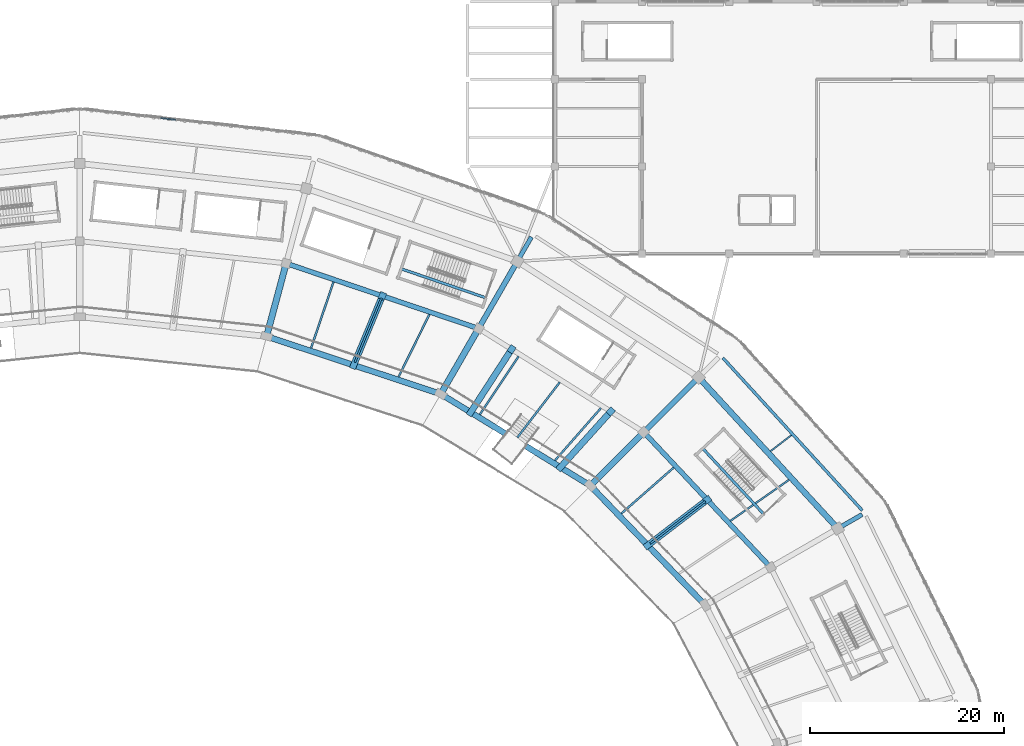
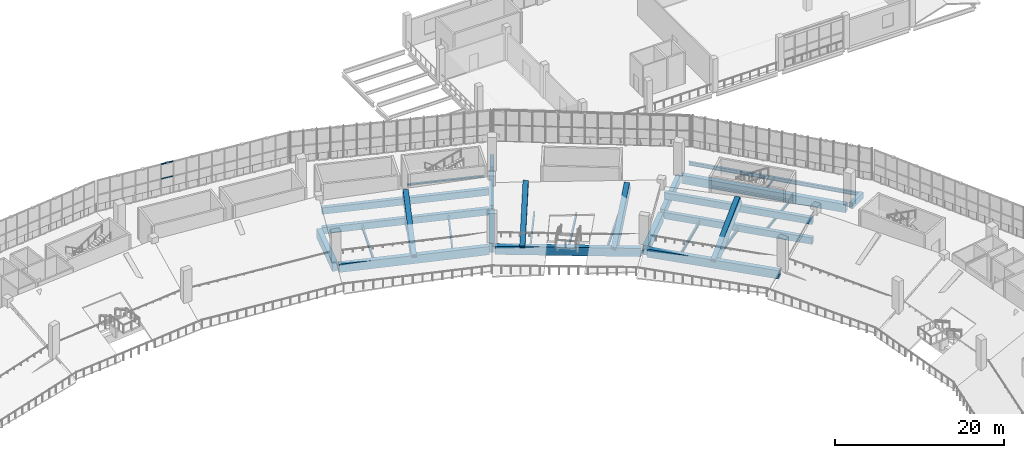
# One storey, part 59 of 152: 32 beams, 2 members, 1 element without a shape of its own.
"""IFC4 building model written with IfcOpenShell, lengths in metres."""

from ifc_helpers import new_model, si_unit, direction, frame, origin, origin_2d, place, context, subcontext, project, spatial, rectangle, i_section, extrude, material, material_profile, profile_set, type_object, element, aggregate, save


model = new_model("IFC4")

# Units and contexts
model_context = context("Model", 3, precision=1e-05, world=origin(), true_north=direction((0.0, 1.0)))
body_context = subcontext(model_context, "Body", "Model", "MODEL_VIEW")
ifc_project = project(units=[si_unit("LENGTHUNIT", "METRE"), si_unit("AREAUNIT", "SQUARE_METRE"), si_unit("VOLUMEUNIT", "CUBIC_METRE"), si_unit("PLANEANGLEUNIT", "RADIAN"), si_unit("MASSUNIT", "GRAM", prefix="KILO")], contexts=[model_context])

# Site, building, storey
site_placement = place(None, origin())
site = spatial("IfcSite", under=ifc_project, at=site_placement, CompositionType="ELEMENT")
building_placement = place(site_placement, origin())
building = spatial("IfcBuilding", under=site, at=building_placement, Name="Zevraka Park Crest Stadium", CompositionType="ELEMENT")
storey_placement = place(building_placement, frame((0.0, 0.0, 15.0)))
storey = spatial("IfcBuildingStorey", under=building, at=storey_placement, Name="L03", CompositionType="ELEMENT", Elevation=15.0)

# Beams
ifc_material_1 = material(Name="Concrete C40/50", Category="concrete")
ifc_material_profile_1 = material_profile(ifc_material_1, rectangle(XDim=0.64990234375, YDim=1.35009765625, at=origin_2d()), Name="RC 1350x650")
ifc_profile_set_1 = profile_set([ifc_material_profile_1], Name="Concrete C40/50")
beam_type_1 = type_object("IfcBeamType", Name="BG01", PredefinedType="BEAM", material=ifc_profile_set_1)
beam_1_placement = place(storey_placement, frame((164.89111328125, 134.284912109375, -0.68505859375), z_axis=(0.707157639372, 0.707055919343, 0.0), x_axis=(-0.707055919343, 0.707157639372, 0.0)))
element("IfcBeam", 1, at=beam_1_placement, inside=storey, type_object=beam_type_1, Name="Radial Girder BG01 L03-BC-03", PredefinedType="BEAM", context=body_context, shape_type="SweptSolid", body=[
    extrude(rectangle(XDim=0.64990234375, YDim=1.35009765625, at=origin_2d()), origin(), (0.0, 0.0, 1.0), 7.200439453125),
])
beam_2_placement = place(storey_placement, frame((149.39990234375, 143.7890625, -0.68505859375), z_axis=(0.500041424909, 0.866001485781, 0.0), x_axis=(-0.866001485781, 0.500041424909, 0.0)))
element("IfcBeam", 2, at=beam_2_placement, inside=storey, type_object=beam_type_1, Name="Radial Girder BG01 L03-BC-04", PredefinedType="BEAM", context=body_context, shape_type="SweptSolid", body=[
    extrude(rectangle(XDim=0.64990234375, YDim=1.35009765625, at=origin_2d()), origin(), (0.0, 0.0, 1.0), 7.19970703125),
])
beam_3_placement = place(storey_placement, frame((131.360107421875, 149.762939453125, -0.68505859375), z_axis=(0.258747385792, 0.965945024495, 0.0), x_axis=(-0.965945024495, 0.258747385792, 0.0)))
element("IfcBeam", 3, at=beam_3_placement, inside=storey, type_object=beam_type_1, Name="Radial Girder BG01 L03-BC-05", PredefinedType="BEAM", context=body_context, shape_type="SweptSolid", body=[
    extrude(rectangle(XDim=0.64990234375, YDim=1.35009765625, at=origin_2d()), origin(), (0.0, 0.0, 1.0), 7.19921875),
])
ifc_material_2 = material(Name="Concrete C40/50", Category="concrete")
ifc_material_profile_2 = material_profile(ifc_material_2, rectangle(XDim=0.550048828125, YDim=1.10009765625, at=origin_2d()), Name="RC 1100x550")
ifc_profile_set_2 = profile_set([ifc_material_profile_2], Name="Concrete C40/50")
beam_type_2 = type_object("IfcBeamType", Name="BG02", PredefinedType="BEAM", material=ifc_profile_set_2)
beam_4_placement = place(storey_placement, frame((170.406982421875, 139.800048828125, -0.56005859375), z_axis=(0.707106781187, 0.707106781187, 0.0), x_axis=(-0.707106781187, 0.707106781187, 0.0)))
element("IfcBeam", 4, at=beam_4_placement, inside=storey, type_object=beam_type_2, Name="Radial Girder BG02 L03-CD-03", PredefinedType="BEAM", context=body_context, shape_type="SweptSolid", body=[
    extrude(rectangle(XDim=0.550048828125, YDim=1.10009765625, at=origin_2d()), origin(), (0.0, 0.0, 1.0), 7.400390625),
])
beam_5_placement = place(storey_placement, frame((153.300048828125, 150.5439453125, -0.56005859375), z_axis=(0.500031859608, 0.86600700885, 0.0), x_axis=(-0.86600700885, 0.500031859608, 0.0)))
element("IfcBeam", 5, at=beam_5_placement, inside=storey, type_object=beam_type_2, Name="Radial Girder BG02 L03-CD-04", PredefinedType="BEAM", context=body_context, shape_type="SweptSolid", body=[
    extrude(rectangle(XDim=0.550048828125, YDim=1.10009765625, at=origin_2d()), origin(), (0.0, 0.0, 1.0), 7.3994140625),
])
ifc_material_3 = material(Name="Concrete C40/50", Category="concrete")
ifc_material_profile_3 = material_profile(ifc_material_3, rectangle(XDim=0.449951171875, YDim=0.85009765625, at=origin_2d()), Name="RC 850x450")
ifc_profile_set_3 = profile_set([ifc_material_profile_3], Name="Concrete C40/50")
beam_type_3 = type_object("IfcBeamType", Name="BG03", PredefinedType="BEAM", material=ifc_profile_set_3)
for number, where, z_axis, x_axis, name in (
    (6, (190.4619140625, 129.800048828125, -0.43505859375), (0.865950948929, 0.500128937424, 0.0), (-0.500128937424, 0.865950948929, 0.0), "Radial Girder BG03 L03-DE-02"),
    (7, (157.300048828125, 157.471923828125, -0.43505859375), (0.500128937424, 0.865950948929, 0.0), (-0.865950948929, 0.500128937424, 0.0), "Radial Girder BG03 L03-DE-04"),
):
    element("IfcBeam", number, at=place(storey_placement, frame(where, z_axis=z_axis, x_axis=x_axis)), inside=storey, type_object=beam_type_3, Name=name, PredefinedType="BEAM", context=body_context, shape_type="SweptSolid", body=[
        extrude(rectangle(XDim=0.449951171875, YDim=0.85009765625, at=origin_2d()), origin(), (0.0, 0.0, 1.0), 2.599365234375),
    ])

# Curtain wall, members
ifc_material_4 = material(Name="Anodised architectural aluminium and laminated safety glass", Category="aluminium")
curtain_wall_type = type_object("IfcCurtainWallType", Name="CW11", PredefinedType="NOTDEFINED", material=ifc_material_4)
curtain_wall_placement = place(storey_placement, origin())
curtain_wall = element("IfcCurtainWall", 8, at=curtain_wall_placement, inside=storey, type_object=curtain_wall_type, Name="Unitised Ring Curtain Wall CW11 L03-05", PredefinedType="NOTDEFINED")
ifc_material_5 = material(Name="Anodised architectural aluminium", Category="aluminium")
ifc_material_profile_4 = material_profile(ifc_material_5, rectangle(XDim=0.139892578125, YDim=0.06494140625, at=origin_2d()), Name="ALU TRANSOM 140x65")
ifc_profile_set_4 = profile_set([ifc_material_profile_4], Name="Anodised architectural aluminium")
member_type = type_object("IfcMemberType", Name="CT02", PredefinedType="USERDEFINED", material=ifc_profile_set_4)
member_1_placement = place(storey_placement, frame((121.92529296875, 171.81689453125, 2.39990234375), z_axis=(-0.993883734674, 0.110431526075, 0.0), x_axis=(-0.110431526075, -0.993883734674, 0.0)))
member_1 = element("IfcMember", 9, at=member_1_placement, type_object=member_type, Name="CW11 transom 10.2", ObjectType="TRANSOM", PredefinedType="USERDEFINED", context=body_context, shape_type="SweptSolid", body=[
    extrude(rectangle(XDim=0.139892578125, YDim=0.06494140625, at=origin_2d()), origin(), (0.0, 0.0, 1.0), 1.5830078125),
])
member_2_placement = place(storey_placement, frame((121.92529296875, 171.81689453125, 4.507568359375), z_axis=(-0.993883734674, 0.110431526075, 0.0), x_axis=(-0.110431526075, -0.993883734674, 0.0)))
member_2 = element("IfcMember", 10, at=member_2_placement, type_object=member_type, Name="CW11 transom 10.3", ObjectType="TRANSOM", PredefinedType="USERDEFINED", context=body_context, shape_type="SweptSolid", body=[
    extrude(rectangle(XDim=0.139892578125, YDim=0.06494140625, at=origin_2d()), origin(), (0.0, 0.0, 1.0), 1.5830078125),
])
aggregate(curtain_wall, [member_1, member_2])

# Beams
ifc_material_6 = material(Name="Concrete C40/50", Category="concrete")
ifc_material_profile_5 = material_profile(ifc_material_6, rectangle(XDim=0.60009765625, YDim=1.199951171875, at=origin_2d()), Name="RC 1200x600")
ifc_profile_set_5 = profile_set([ifc_material_profile_5], Name="Concrete C40/50")
beam_type_4 = type_object("IfcBeamType", Name="RB01", PredefinedType="BEAM", material=ifc_profile_set_5)
beam_6_placement = place(storey_placement, frame((176.256103515625, 122.02392578125, -0.610107421875), z_axis=(-0.692852617328, 0.721079226342, 0.0), x_axis=(-0.721079226342, -0.692852617328, 0.0)))
element("IfcBeam", 11, at=beam_6_placement, inside=storey, type_object=beam_type_4, Name="Ring Beam RB01 L03-B-02", PredefinedType="BEAM", context=body_context, shape_type="SweptSolid", body=[
    extrude(rectangle(XDim=0.60009765625, YDim=1.199951171875, at=origin_2d()), origin(), (0.0, 0.0, 1.0), 16.329833984375),
])
beam_7_placement = place(storey_placement, frame((189.945068359375, 129.929931640625, -0.610107421875), z_axis=(-0.677158252403, 0.735837414924, 0.0), x_axis=(-0.735837414924, -0.677158252403, 0.0)))
element("IfcBeam", 12, at=beam_7_placement, inside=storey, type_object=beam_type_4, Name="Ring Beam RB01 L03-D-02", PredefinedType="BEAM", context=body_context, shape_type="SweptSolid", body=[
    extrude(rectangle(XDim=0.60009765625, YDim=1.199951171875, at=origin_2d()), origin(), (0.0, 0.0, 1.0), 20.4326171875),
])
beam_8_placement = place(storey_placement, frame((164.35498046875, 134.27197265625, -0.610107421875), z_axis=(-0.852632623571, 0.522510869956, 0.0), x_axis=(-0.522510869956, -0.852632623571, 0.0)))
element("IfcBeam", 13, at=beam_8_placement, inside=storey, type_object=beam_type_4, Name="Ring Beam RB01 L03-B-03", PredefinedType="BEAM", context=body_context, shape_type="SweptSolid", body=[
    extrude(rectangle(XDim=0.60009765625, YDim=1.199951171875, at=origin_2d()), origin(), (0.0, 0.0, 1.0), 17.335693359375),
])
beam_9_placement = place(storey_placement, frame((148.888916015625, 143.64794921875, -0.610107421875), z_axis=(-0.949383863235, 0.314118258349, 0.0), x_axis=(-0.314118258349, -0.949383863235, 0.0)))
element("IfcBeam", 14, at=beam_9_placement, inside=storey, type_object=beam_type_4, Name="Ring Beam RB01 L03-B-04", PredefinedType="BEAM", context=body_context, shape_type="SweptSolid", body=[
    extrude(rectangle(XDim=0.60009765625, YDim=1.199951171875, at=origin_2d()), origin(), (0.0, 0.0, 1.0), 18.165283203125),
])
ifc_material_7 = material(Name="Concrete C40/50", Category="concrete")
ifc_material_profile_6 = material_profile(ifc_material_7, rectangle(XDim=0.5, YDim=0.949951171875, at=origin_2d()), Name="RC 950x500")
ifc_profile_set_6 = profile_set([ifc_material_profile_6], Name="Concrete C40/50")
beam_type_5 = type_object("IfcBeamType", Name="RB02", PredefinedType="BEAM", material=ifc_profile_set_6)
beam_10_placement = place(storey_placement, frame((183.013916015625, 125.927001953125, -0.485107421875), z_axis=(-0.684268936493, 0.729229746068, 0.0), x_axis=(-0.729229746068, -0.684268936493, 0.0)))
element("IfcBeam", 15, at=beam_10_placement, inside=storey, type_object=beam_type_5, Name="Ring Beam RB02 L03-C-02", PredefinedType="BEAM", context=body_context, shape_type="SweptSolid", body=[
    extrude(rectangle(XDim=0.5, YDim=0.949951171875, at=origin_2d()), origin(), (0.0, 0.0, 1.0), 18.353759765625),
])
beam_11_placement = place(storey_placement, frame((152.7900390625, 150.406005859375, -0.485107421875), z_axis=(-0.947147952377, 0.320797064058, 0.0), x_axis=(-0.320797064058, -0.947147952377, 0.0)))
element("IfcBeam", 16, at=beam_11_placement, inside=storey, type_object=beam_type_5, Name="Ring Beam RB02 L03-C-04", PredefinedType="BEAM", context=body_context, shape_type="SweptSolid", body=[
    extrude(rectangle(XDim=0.5, YDim=0.949951171875, at=origin_2d()), origin(), (0.0, 0.0, 1.0), 20.196533203125),
])
beam_12_placement = place(storey_placement, frame((183.013916015625, 125.927001953125, 2.375), z_axis=(-0.684268936493, 0.729229746068, 0.0), x_axis=(-0.729229746068, -0.684268936493, 0.0)))
element("IfcBeam", 17, at=beam_12_placement, inside=storey, type_object=beam_type_5, Name="Upper Tier Head Raker Ring Beam RB02 02", PredefinedType="BEAM", context=body_context, shape_type="SweptSolid", body=[
    extrude(rectangle(XDim=0.5, YDim=0.949951171875, at=origin_2d()), origin(), (0.0, 0.0, 1.0), 18.353759765625),
])
beam_13_placement = place(storey_placement, frame((152.7900390625, 150.406005859375, 2.375), z_axis=(-0.947147952377, 0.320797064058, 0.0), x_axis=(-0.320797064058, -0.947147952377, 0.0)))
element("IfcBeam", 18, at=beam_13_placement, inside=storey, type_object=beam_type_5, Name="Upper Tier Head Raker Ring Beam RB02 04", PredefinedType="BEAM", context=body_context, shape_type="SweptSolid", body=[
    extrude(rectangle(XDim=0.5, YDim=0.949951171875, at=origin_2d()), origin(), (0.0, 0.0, 1.0), 20.196533203125),
])
ifc_material_8 = material(Name="Steel S355", Category="steel")
ifc_material_profile_7 = material_profile(ifc_material_8, i_section(OverallWidth=0.300048828125, OverallDepth=0.5, WebThickness=0.014404296875, FlangeThickness=0.028076171875, at=origin_2d()), Name="HEB 500")
ifc_profile_set_7 = profile_set([ifc_material_profile_7], Name="Steel S355")
beam_type_6 = type_object("IfcBeamType", Name="RB05", PredefinedType="BEAM", material=ifc_profile_set_7)
beam_14_placement = place(storey_placement, frame((192.737060546875, 131.508056640625, -0.60498046875), z_axis=(-0.674624342029, 0.738161227065, 0.0), x_axis=(-0.738161227065, -0.674624342029, 0.0)))
element("IfcBeam", 19, at=beam_14_placement, inside=storey, type_object=beam_type_6, Name="Ring Beam RB05 L03-E-02", PredefinedType="BEAM", context=body_context, shape_type="SweptSolid", body=[
    extrude(i_section(OverallWidth=0.300048828125, OverallDepth=0.5, WebThickness=0.014404296875, FlangeThickness=0.028076171875, at=origin_2d()), origin(), (0.0, 0.0, 1.0), 21.325927734375),
])
ifc_material_9 = material(Name="Concrete C40/50", Category="concrete")
ifc_material_profile_8 = material_profile(ifc_material_9, rectangle(XDim=0.64990234375, YDim=1.5, at=origin_2d()), Name="RC 1500x650")
ifc_profile_set_8 = profile_set([ifc_material_profile_8], Name="Concrete C40/50")
beam_type_7 = type_object("IfcBeamType", Name="RK02", PredefinedType="BEAM", material=ifc_profile_set_8)
beam_15_placement = place(storey_placement, frame((170.59912109375, 127.912109375, -0.800048828125), z_axis=(0.690325578802, 0.529639717993, 0.492881694098), x_axis=(-0.608713880847, 0.793389823015, 0.0)))
element("IfcBeam", 20, at=beam_15_placement, inside=storey, type_object=beam_type_7, Name="Upper Bowl Main Raker Girder RK02 02", PredefinedType="BEAM", context=body_context, shape_type="SweptSolid", body=[
    extrude(rectangle(XDim=0.64990234375, YDim=1.5, at=origin_2d()), origin(), (0.0, 0.0, 1.0), 8.88671875),
])
beam_16_placement = place(storey_placement, frame((161.593017578125, 135.964111328125, -0.800048828125), z_axis=(0.582906361963, 0.646897257835, 0.491674802068), x_axis=(-0.74289496381, 0.669408001705, 0.0)))
element("IfcBeam", 21, at=beam_16_placement, inside=storey, type_object=beam_type_7, Name="Upper Bowl Main Raker Girder RK02 03-1", PredefinedType="BEAM", context=body_context, shape_type="SweptSolid", body=[
    extrude(rectangle(XDim=0.64990234375, YDim=1.5, at=origin_2d()), origin(), (0.0, 0.0, 1.0), 8.90869140625),
])
beam_17_placement = place(storey_placement, frame((152.3359375, 141.637939453125, -0.800048828125), z_axis=(0.474054343078, 0.7304295529, 0.491675856698), x_axis=(-0.838823786585, 0.544403026314, 0.0)))
element("IfcBeam", 22, at=beam_17_placement, inside=storey, type_object=beam_type_7, Name="Upper Bowl Main Raker Girder RK02 03-2", PredefinedType="BEAM", context=body_context, shape_type="SweptSolid", body=[
    extrude(rectangle(XDim=0.64990234375, YDim=1.5, at=origin_2d()), origin(), (0.0, 0.0, 1.0), 8.908447265625),
])
beam_18_placement = place(storey_placement, frame((140.26611328125, 146.5009765625, -0.800048828125), z_axis=(0.333025449443, 0.803886737331, 0.492808445105), x_axis=(-0.92386138518, 0.38272724096, 0.0)))
element("IfcBeam", 23, at=beam_18_placement, inside=storey, type_object=beam_type_7, Name="Upper Bowl Main Raker Girder RK02 04", PredefinedType="BEAM", context=body_context, shape_type="SweptSolid", body=[
    extrude(rectangle(XDim=0.64990234375, YDim=1.5, at=origin_2d()), origin(), (0.0, 0.0, 1.0), 8.88818359375),
])
ifc_material_10 = material(Name="Steel S355", Category="steel")
ifc_material_profile_9 = material_profile(ifc_material_10, i_section(OverallWidth=0.14990234375, OverallDepth=0.300048828125, WebThickness=0.007080078125, FlangeThickness=0.0107421875, at=origin_2d()), Name="IPE 300")
ifc_profile_set_9 = profile_set([ifc_material_profile_9], Name="Steel S355")
beam_type_8 = type_object("IfcBeamType", Name="SJ01", PredefinedType="JOIST", material=ifc_profile_set_9)
beam_19_placement = place(storey_placement, frame((183.260986328125, 137.626953125, -0.4580078125), z_axis=(0.793128631587, 0.609054163238, 0.0), x_axis=(-0.609054163238, 0.793128631587, 0.0)))
element("IfcBeam", 24, at=beam_19_placement, inside=storey, type_object=beam_type_8, Name="Floor Joist SJ01 L03-DE-02-1", PredefinedType="JOIST", context=body_context, shape_type="SweptSolid", body=[
    extrude(i_section(OverallWidth=0.14990234375, OverallDepth=0.300048828125, WebThickness=0.007080078125, FlangeThickness=0.0107421875, at=origin_2d()), origin(), (0.0, 0.0, 1.0), 2.732177734375),
])
ifc_material_11 = material(Name="Steel S355", Category="steel")
ifc_material_profile_10 = material_profile(ifc_material_11, i_section(OverallWidth=0.179931640625, OverallDepth=0.39990234375, WebThickness=0.008544921875, FlangeThickness=0.013427734375, at=origin_2d()), Name="IPE 400")
ifc_profile_set_10 = profile_set([ifc_material_profile_10], Name="Steel S355")
beam_type_9 = type_object("IfcBeamType", Name="SJ09", PredefinedType="JOIST", material=ifc_profile_set_10)
beam_20_placement = place(storey_placement, frame((179.114990234375, 130.43603515625, -0.508056640625), z_axis=(0.819262921224, 0.573418055093, 0.0), x_axis=(-0.573418055093, 0.819262921224, 0.0)))
element("IfcBeam", 25, at=beam_20_placement, inside=storey, type_object=beam_type_9, Name="Floor Joist SJ09 L03-CD-02-1", PredefinedType="JOIST", context=body_context, shape_type="SweptSolid", body=[
    extrude(i_section(OverallWidth=0.179931640625, OverallDepth=0.39990234375, WebThickness=0.008544921875, FlangeThickness=0.013427734375, at=origin_2d()), origin(), (0.0, 0.0, 1.0), 7.3994140625),
])
ifc_material_12 = material(Name="Steel S355", Category="steel")
ifc_material_profile_11 = material_profile(ifc_material_12, i_section(OverallWidth=0.199951171875, OverallDepth=0.5, WebThickness=0.01025390625, FlangeThickness=0.01611328125, at=origin_2d()), Name="IPE 500")
ifc_profile_set_11 = profile_set([ifc_material_profile_11], Name="Steel S355")
beam_type_10 = type_object("IfcBeamType", Name="SJ10", PredefinedType="JOIST", material=ifc_profile_set_11)
beam_21_placement = place(storey_placement, frame((170.84912109375, 128.10302734375, -0.55810546875), z_axis=(0.793343347731, 0.608774451346, 0.0), x_axis=(-0.608774451346, 0.793343347731, 0.0)))
element("IfcBeam", 26, at=beam_21_placement, inside=storey, type_object=beam_type_10, Name="Floor Joist SJ10 L03-BC-02-2", PredefinedType="JOIST", context=body_context, shape_type="SweptSolid", body=[
    extrude(i_section(OverallWidth=0.199951171875, OverallDepth=0.5, WebThickness=0.01025390625, FlangeThickness=0.01611328125, at=origin_2d()), origin(), (0.0, 0.0, 1.0), 7.17333984375),
])
beam_22_placement = place(storey_placement, frame((167.8759765625, 131.199951171875, -0.55810546875), z_axis=(0.751711566798, 0.65949201689, 0.0), x_axis=(-0.65949201689, 0.751711566798, 0.0)))
element("IfcBeam", 27, at=beam_22_placement, inside=storey, type_object=beam_type_10, Name="Floor Joist SJ10 L03-BC-02-3", PredefinedType="JOIST", context=body_context, shape_type="SweptSolid", body=[
    extrude(i_section(OverallWidth=0.199951171875, OverallDepth=0.5, WebThickness=0.01025390625, FlangeThickness=0.01611328125, at=origin_2d()), origin(), (0.0, 0.0, 1.0), 7.190185546875),
])
beam_23_placement = place(storey_placement, frame((161.030029296875, 136.674072265625, -0.55810546875), z_axis=(0.659576187041, 0.751637714254, 0.0), x_axis=(-0.751637714254, 0.659576187041, 0.0)))
element("IfcBeam", 28, at=beam_23_placement, inside=storey, type_object=beam_type_10, Name="Floor Joist SJ10 L03-BC-03-1", PredefinedType="JOIST", context=body_context, shape_type="SweptSolid", body=[
    extrude(i_section(OverallWidth=0.199951171875, OverallDepth=0.5, WebThickness=0.01025390625, FlangeThickness=0.01611328125, at=origin_2d()), origin(), (0.0, 0.0, 1.0), 7.189453125),
])
beam_24_placement = place(storey_placement, frame((157.156005859375, 139.051025390625, -0.55810546875), z_axis=(0.608774451346, 0.793343347731, 0.0), x_axis=(-0.793343347731, 0.608774451346, 0.0)))
element("IfcBeam", 29, at=beam_24_placement, inside=storey, type_object=beam_type_10, Name="Floor Joist SJ10 L03-BC-03-2", PredefinedType="JOIST", context=body_context, shape_type="SweptSolid", body=[
    extrude(i_section(OverallWidth=0.199951171875, OverallDepth=0.5, WebThickness=0.01025390625, FlangeThickness=0.01611328125, at=origin_2d()), origin(), (0.0, 0.0, 1.0), 7.17333984375),
])
beam_25_placement = place(storey_placement, frame((153.281982421875, 141.427001953125, -0.55810546875), z_axis=(0.555366097338, 0.831605975164, 0.0), x_axis=(-0.831605975164, 0.555366097338, 0.0)))
element("IfcBeam", 30, at=beam_25_placement, inside=storey, type_object=beam_type_10, Name="Floor Joist SJ10 L03-BC-03-3", PredefinedType="JOIST", context=body_context, shape_type="SweptSolid", body=[
    extrude(i_section(OverallWidth=0.199951171875, OverallDepth=0.5, WebThickness=0.01025390625, FlangeThickness=0.01611328125, at=origin_2d()), origin(), (0.0, 0.0, 1.0), 7.189697265625),
])
beam_26_placement = place(storey_placement, frame((144.89697265625, 145.297119140625, -0.55810546875), z_axis=(0.442549118131, 0.896744265686, 0.0), x_axis=(-0.896744265686, 0.442549118131, 0.0)))
element("IfcBeam", 31, at=beam_26_placement, inside=storey, type_object=beam_type_10, Name="Floor Joist SJ10 L03-BC-04-1", PredefinedType="JOIST", context=body_context, shape_type="SweptSolid", body=[
    extrude(i_section(OverallWidth=0.199951171875, OverallDepth=0.5, WebThickness=0.01025390625, FlangeThickness=0.01611328125, at=origin_2d()), origin(), (0.0, 0.0, 1.0), 7.1904296875),
])
beam_27_placement = place(storey_placement, frame((140.386962890625, 146.7919921875, -0.55810546875), z_axis=(0.382700487371, 0.923872467912, 0.0), x_axis=(-0.923872467912, 0.382700487371, 0.0)))
element("IfcBeam", 32, at=beam_27_placement, inside=storey, type_object=beam_type_10, Name="Floor Joist SJ10 L03-BC-04-2", PredefinedType="JOIST", context=body_context, shape_type="SweptSolid", body=[
    extrude(i_section(OverallWidth=0.199951171875, OverallDepth=0.5, WebThickness=0.01025390625, FlangeThickness=0.01611328125, at=origin_2d()), origin(), (0.0, 0.0, 1.0), 7.173095703125),
])
beam_28_placement = place(storey_placement, frame((135.875, 148.284912109375, -0.55810546875), z_axis=(0.321275682742, 0.946985710388, 0.0), x_axis=(-0.946985710388, 0.321275682742, 0.0)))
element("IfcBeam", 33, at=beam_28_placement, inside=storey, type_object=beam_type_10, Name="Floor Joist SJ10 L03-BC-04-3", PredefinedType="JOIST", context=body_context, shape_type="SweptSolid", body=[
    extrude(i_section(OverallWidth=0.199951171875, OverallDepth=0.5, WebThickness=0.01025390625, FlangeThickness=0.01611328125, at=origin_2d()), origin(), (0.0, 0.0, 1.0), 7.190185546875),
])
ifc_material_13 = material(Name="Concrete C40/50", Category="concrete")
ifc_material_profile_12 = material_profile(ifc_material_13, rectangle(XDim=0.280029296875, YDim=0.199951171875, at=origin_2d()), Name="RC 200x280")
ifc_profile_set_12 = profile_set([ifc_material_profile_12], Name="Concrete C40/50")
beam_type_11 = type_object("IfcBeamType", Name="SJ13", PredefinedType="JOIST", material=ifc_profile_set_12)
beam_29_placement = place(storey_placement, frame((182.544677734375, 131.1572265625, 2.300048828125), z_axis=(-0.680247587728, 0.732982414107, 0.0), x_axis=(-0.732982414107, -0.680247587728, 0.0)))
element("IfcBeam", 34, at=beam_29_placement, inside=storey, type_object=beam_type_11, Name="Stair Upper-Flight Longitudinal Stringer SJ13 ST03-L03", PredefinedType="JOIST", context=body_context, shape_type="SweptSolid", body=[
    extrude(rectangle(XDim=0.280029296875, YDim=0.199951171875, at=origin_2d()), origin(), (0.0, 0.0, 1.0), 9.25),
])
beam_30_placement = place(storey_placement, frame((153.882080078125, 153.457763671875, 2.300048828125), z_axis=(-0.946065027556, 0.323976794902, 0.0), x_axis=(-0.323976794902, -0.946065027556, 0.0)))
element("IfcBeam", 35, at=beam_30_placement, inside=storey, type_object=beam_type_11, Name="Stair Upper-Flight Longitudinal Stringer SJ13 ST05-L03", PredefinedType="JOIST", context=body_context, shape_type="SweptSolid", body=[
    extrude(rectangle(XDim=0.280029296875, YDim=0.199951171875, at=origin_2d()), origin(), (0.0, 0.0, 1.0), 9.250244140625),
])

save(model, "model.ifc")
